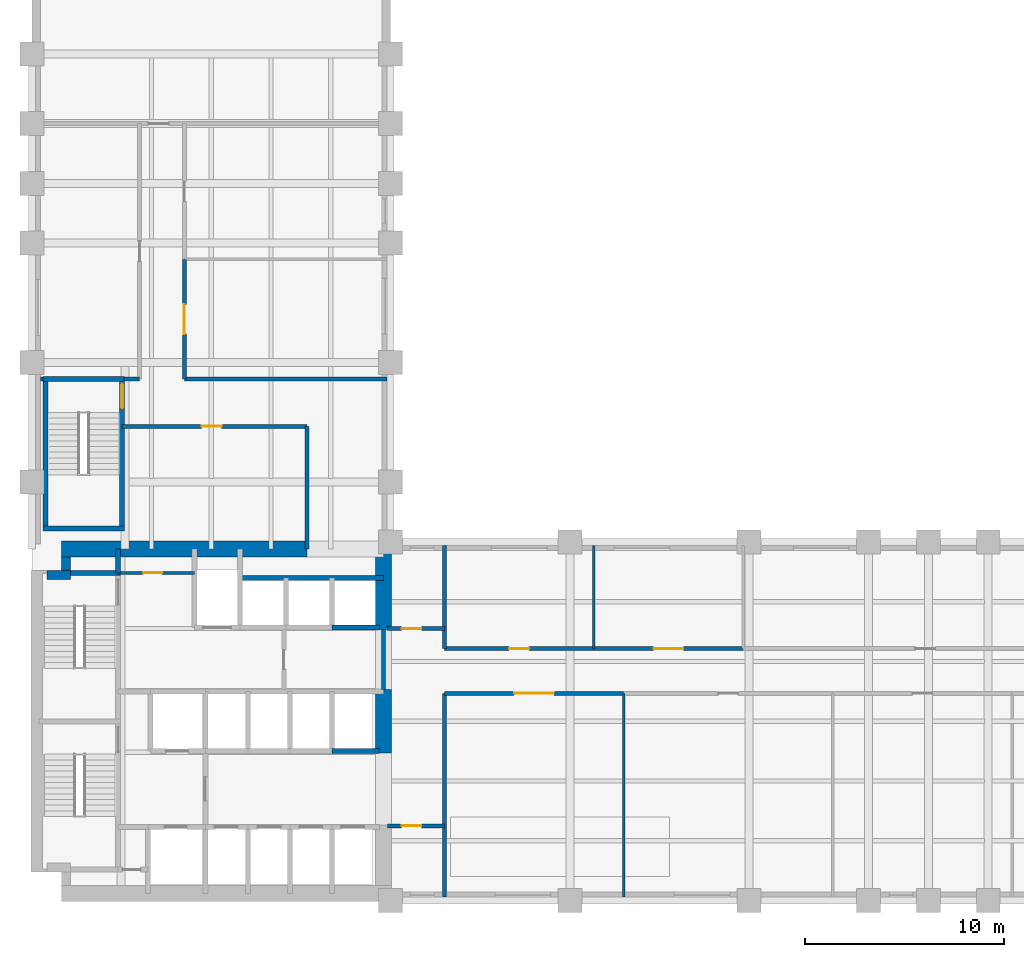
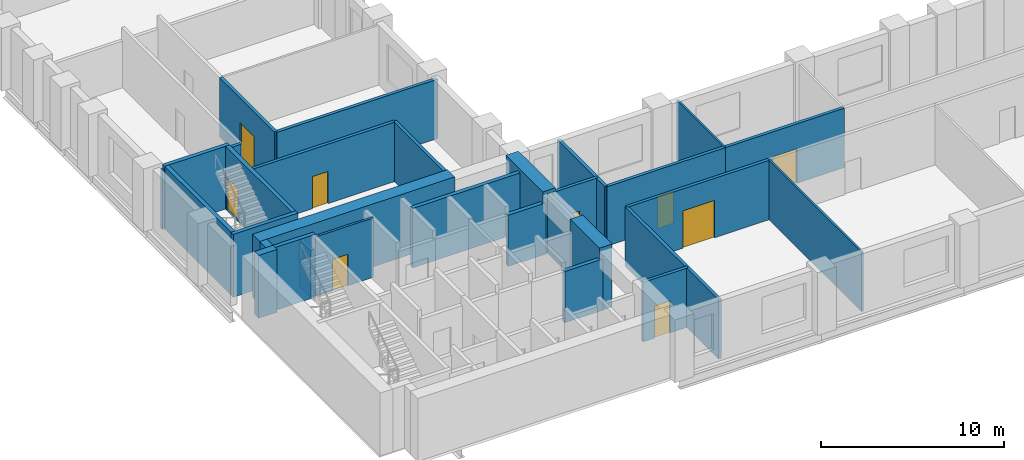
# One storey, part 4 of 7: 31 walls, 9 doors, 9 openings.
"""IFC4 building model written with IfcOpenShell, lengths in metres."""

from ifc_helpers import new_model, si_unit, direction, frame, frame_2d, origin, place, context, subcontext, project, spatial, rectangle, extrude, material, layer, layer_set, type_object, element, fill, save


model = new_model("IFC4")

# Units and contexts
model_context = context("Model", 3, precision=1e-05, world=origin(), true_north=direction((0.0, 1.0)))
body_context = subcontext(model_context, "Body", "Model", "MODEL_VIEW")
ifc_project = project(units=[si_unit("LENGTHUNIT", "METRE"), si_unit("AREAUNIT", "SQUARE_METRE"), si_unit("VOLUMEUNIT", "CUBIC_METRE"), si_unit("PLANEANGLEUNIT", "RADIAN"), si_unit("MASSUNIT", "GRAM", prefix="KILO")], contexts=[model_context])

# Site, building, storey
site_placement = place(None, origin())
site = spatial("IfcSite", under=ifc_project, at=site_placement, CompositionType="ELEMENT")
building_placement = place(site_placement, origin())
building = spatial("IfcBuilding", under=site, at=building_placement, Name="Mawjdan Bourse Tower", CompositionType="ELEMENT")
storey_placement = place(building_placement, frame((0.0, 0.0, 42.60009765625)))
storey = spatial("IfcBuildingStorey", under=building, at=storey_placement, Name="L09", CompositionType="ELEMENT", Elevation=42.60009765625)

# Wall
ifc_material_1 = material(Name="Gypsum Fireboard Assembly")
ifc_layer_1 = layer(ifc_material_1, 0.199951171875)
ifc_layer_set_1 = layer_set([ifc_layer_1], Name="Gypsum Fireboard Assembly")
wall_type_1 = type_object("IfcWallType", Name="WL-CMP-200", PredefinedType="PARTITIONING", material=ifc_layer_set_1)
wall_1_placement = place(storey_placement, frame((23.64990234375, 13.60009765625, 0.0), z_axis=(0.0, 0.0, 1.0), x_axis=(0.0, 1.0, 0.0)))
element("IfcWall", 1, at=wall_1_placement, inside=storey, type_object=wall_type_1, Name="L09 Core Restroom East Enclosing Wall", PredefinedType="PARTITIONING", context=body_context, shape_type="SweptSolid", body=[
    extrude(rectangle(XDim=3.0, YDim=0.199951171875, at=frame_2d((1.5, 0.0))), origin(), (0.0, 0.0, 1.0), 3.969970703125),
])

# Wall, opening, door
wall_2_placement = place(storey_placement, frame((23.85009765625, 6.75, 0.0), z_axis=(0.0, 0.0, 1.0), x_axis=(1.0, 0.0, 0.0)))
wall_2 = element("IfcWall", 2, at=wall_2_placement, inside=storey, type_object=wall_type_1, Name="L09 West Pocket North Wall", PredefinedType="PARTITIONING", context=body_context, shape_type="SweptSolid", body=[
    extrude(rectangle(XDim=2.849853515625, YDim=0.199951171875, at=frame_2d((1.4248046875, 0.0))), origin(), (0.0, 0.0, 1.0), 3.969970703125),
])
opening_1_placement = place(wall_2_placement, frame((0.699951171875, 0.0, 0.0)))
opening_1 = element("IfcOpeningElement", 3, at=opening_1_placement, cuts=wall_2, Name="Opening D-L09-17", PredefinedType="OPENING", context=body_context, shape_type="SweptSolid", body=[
    extrude(rectangle(XDim=1.0, YDim=2.14990234375, at=frame_2d((0.5, 1.074951171875))), frame((0.0, 0.10986328125, 0.0), z_axis=(0.0, -1.0, 0.0), x_axis=(1.0, 0.0, 0.0)), (0.0, 0.0, 1.0), 0.219970703125),
])
ifc_material_2 = material(Name="Hardwood Acoustic Leaf", Category="wood")
door_type_1 = type_object("IfcDoorType", Name="DR-OFC-1000", OperationType="NOTDEFINED", PredefinedType="DOOR", material=ifc_material_2)
door_1_placement = place(opening_1_placement, origin())
door_1 = element("IfcDoor", 4, at=door_1_placement, inside=storey, type_object=door_type_1, Name="L09 West Pocket Office Door D-L09-17", OperationType="SINGLE_SWING_LEFT", OverallHeight=2.14990234375, OverallWidth=1.0, PredefinedType="DOOR", context=body_context, shape_type="SweptSolid", body=[
    extrude(rectangle(XDim=1.0, YDim=2.14990234375, at=frame_2d((0.5, 1.074951171875))), frame((0.0, 0.02490234375, 0.0), z_axis=(0.0, -1.0, 0.0), x_axis=(1.0, 0.0, 0.0)), (0.0, 0.0, 1.0), 0.050048828125),
])
fill(opening_1, door_1)

wall_3_placement = place(storey_placement, frame((23.85009765625, 16.64990234375, 0.0), z_axis=(0.0, 0.0, 1.0), x_axis=(1.0, 0.0, 0.0)))
wall_3 = element("IfcWall", 5, at=wall_3_placement, inside=storey, type_object=wall_type_1, Name="L09 West North Pocket Wall", PredefinedType="PARTITIONING", context=body_context, shape_type="SweptSolid", body=[
    extrude(rectangle(XDim=2.849853515625, YDim=0.199951171875, at=frame_2d((1.4248046875, 0.0))), origin(), (0.0, 0.0, 1.0), 3.969970703125),
])
opening_2_placement = place(wall_3_placement, frame((0.699951171875, 0.0, 0.0)))
opening_2 = element("IfcOpeningElement", 6, at=opening_2_placement, cuts=wall_3, Name="Opening D-L09-18", PredefinedType="OPENING", context=body_context, shape_type="SweptSolid", body=[
    extrude(rectangle(XDim=1.0, YDim=2.14990234375, at=frame_2d((0.5, 1.074951171875))), frame((0.0, 0.10986328125, 0.0), z_axis=(0.0, -1.0, 0.0), x_axis=(1.0, 0.0, 0.0)), (0.0, 0.0, 1.0), 0.219970703125),
])
door_2_placement = place(opening_2_placement, origin())
door_2 = element("IfcDoor", 7, at=door_2_placement, inside=storey, type_object=door_type_1, Name="L09 West North Pocket Door D-L09-18", OperationType="SINGLE_SWING_RIGHT", OverallHeight=2.14990234375, OverallWidth=1.0, PredefinedType="DOOR", context=body_context, shape_type="SweptSolid", body=[
    extrude(rectangle(XDim=1.0, YDim=2.14990234375, at=frame_2d((0.5, 1.074951171875))), frame((0.0, 0.02490234375, 0.0), z_axis=(0.0, -1.0, 0.0), x_axis=(1.0, 0.0, 0.0)), (0.0, 0.0, 1.0), 0.050048828125),
])
fill(opening_2, door_2)

# Walls
wall_4_placement = place(storey_placement, frame((26.699951171875, 3.179931640625, 0.0), z_axis=(0.0, 0.0, 1.0), x_axis=(0.0, 1.0, 0.0)))
element("IfcWall", 8, at=wall_4_placement, inside=storey, type_object=wall_type_1, Name="L09 Vestibule South East Wall", PredefinedType="PARTITIONING", context=body_context, shape_type="SweptSolid", body=[
    extrude(rectangle(XDim=10.219970703125, YDim=0.199951171875, at=frame_2d((5.10986328125, 0.0))), origin(), (0.0, 0.0, 1.0), 3.969970703125),
])
wall_5_placement = place(storey_placement, frame((26.699951171875, 15.64990234375, 0.0), z_axis=(0.0, 0.0, 1.0), x_axis=(0.0, 1.0, 0.0)))
element("IfcWall", 9, at=wall_5_placement, inside=storey, type_object=wall_type_1, Name="L09 Vestibule North East Wall", PredefinedType="PARTITIONING", context=body_context, shape_type="SweptSolid", body=[
    extrude(rectangle(XDim=5.170166015625, YDim=0.199951171875, at=frame_2d((2.5849609375, 0.0))), origin(), (0.0, 0.0, 1.0), 3.969970703125),
])

# Wall, opening, door
wall_6_placement = place(storey_placement, frame((26.699951171875, 13.39990234375, 0.0), z_axis=(0.0, 0.0, 1.0), x_axis=(1.0, 0.0, 0.0)))
wall_6 = element("IfcWall", 10, at=wall_6_placement, inside=storey, type_object=wall_type_1, Name="L09 Trading Floor Corridor Wall", PredefinedType="PARTITIONING", context=body_context, shape_type="SweptSolid", body=[
    extrude(rectangle(XDim=9.0, YDim=0.199951171875, at=frame_2d((4.5, 0.0))), origin(), (0.0, 0.0, 1.0), 3.969970703125),
])
opening_3_placement = place(wall_6_placement, frame((3.5, 0.0, 0.0)))
opening_3 = element("IfcOpeningElement", 11, at=opening_3_placement, cuts=wall_6, Name="Opening D-L09-19", PredefinedType="OPENING", context=body_context, shape_type="SweptSolid", body=[
    extrude(rectangle(XDim=2.0, YDim=2.5, at=frame_2d((1.0, 1.25))), frame((0.0, 0.10986328125, 0.0), z_axis=(0.0, -1.0, 0.0), x_axis=(1.0, 0.0, 0.0)), (0.0, 0.0, 1.0), 0.219970703125),
])
ifc_material_3 = material(Name="Acoustic Veneered Timber", Category="wood")
door_type_2 = type_object("IfcDoorType", Name="DR-ASM-2000", OperationType="DOUBLE_DOOR_SINGLE_SWING", PredefinedType="DOOR", material=ifc_material_3)
door_3_placement = place(opening_3_placement, origin())
door_3 = element("IfcDoor", 12, at=door_3_placement, inside=storey, type_object=door_type_2, Name="L09 Trading Floor Door D-L09-19", OperationType="DOUBLE_DOOR_SINGLE_SWING", OverallHeight=2.5, OverallWidth=2.0, PredefinedType="DOOR", context=body_context, shape_type="SweptSolid", body=[
    extrude(rectangle(XDim=2.0, YDim=2.5, at=frame_2d((1.0, 1.25))), frame((0.0, 0.02490234375, 0.0), z_axis=(0.0, -1.0, 0.0), x_axis=(1.0, 0.0, 0.0)), (0.0, 0.0, 1.0), 0.050048828125),
])
fill(opening_3, door_3)

wall_7_placement = place(storey_placement, frame((26.699951171875, 15.64990234375, 0.0), z_axis=(0.0, 0.0, 1.0), x_axis=(1.0, 0.0, 0.0)))
wall_7 = element("IfcWall", 13, at=wall_7_placement, inside=storey, type_object=wall_type_1, Name="L09 Brokerage Suite Corridor Wall", PredefinedType="PARTITIONING", context=body_context, shape_type="SweptSolid", body=[
    extrude(rectangle(XDim=7.5, YDim=0.199951171875, at=frame_2d((3.75, 0.0))), origin(), (0.0, 0.0, 1.0), 3.969970703125),
])
opening_4_placement = place(wall_7_placement, frame((3.25, 0.0, 0.0)))
opening_4 = element("IfcOpeningElement", 14, at=opening_4_placement, cuts=wall_7, Name="Opening D-L09-23", PredefinedType="OPENING", context=body_context, shape_type="SweptSolid", body=[
    extrude(rectangle(XDim=1.0, YDim=2.14990234375, at=frame_2d((0.5, 1.074951171875))), frame((0.0, 0.10986328125, 0.0), z_axis=(0.0, -1.0, 0.0), x_axis=(1.0, 0.0, 0.0)), (0.0, 0.0, 1.0), 0.219970703125),
])
door_4_placement = place(opening_4_placement, origin())
door_4 = element("IfcDoor", 15, at=door_4_placement, inside=storey, type_object=door_type_1, Name="L09 Brokerage Suite Door D-L09-23", OperationType="SINGLE_SWING_LEFT", OverallHeight=2.14990234375, OverallWidth=1.0, PredefinedType="DOOR", context=body_context, shape_type="SweptSolid", body=[
    extrude(rectangle(XDim=1.0, YDim=2.14990234375, at=frame_2d((0.5, 1.074951171875))), frame((0.0, 0.02490234375, 0.0), z_axis=(0.0, -1.0, 0.0), x_axis=(1.0, 0.0, 0.0)), (0.0, 0.0, 1.0), 0.050048828125),
])
fill(opening_4, door_4)

wall_8_placement = place(storey_placement, frame((34.199951171875, 15.64990234375, 0.0), z_axis=(0.0, 0.0, 1.0), x_axis=(1.0, 0.0, 0.0)))
wall_8 = element("IfcWall", 16, at=wall_8_placement, inside=storey, type_object=wall_type_1, Name="L09 Conference Room Corridor Wall", PredefinedType="PARTITIONING", context=body_context, shape_type="SweptSolid", body=[
    extrude(rectangle(XDim=7.5, YDim=0.199951171875, at=frame_2d((3.75, 0.0))), origin(), (0.0, 0.0, 1.0), 3.969970703125),
])
opening_5_placement = place(wall_8_placement, frame((3.0, 0.0, 0.0)))
opening_5 = element("IfcOpeningElement", 17, at=opening_5_placement, cuts=wall_8, Name="Opening D-L09-24", PredefinedType="OPENING", context=body_context, shape_type="SweptSolid", body=[
    extrude(rectangle(XDim=1.5, YDim=2.300048828125, at=frame_2d((0.75, 1.14990234375))), frame((0.0, 0.10986328125, 0.0), z_axis=(0.0, -1.0, 0.0), x_axis=(1.0, 0.0, 0.0)), (0.0, 0.0, 1.0), 0.219970703125),
])
ifc_material_4 = material(Name="Acoustic Glazed Timber", Category="wood")
door_type_3 = type_object("IfcDoorType", Name="DR-CNF-1500", OperationType="DOUBLE_DOOR_SINGLE_SWING", PredefinedType="DOOR", material=ifc_material_4)
door_5_placement = place(opening_5_placement, origin())
door_5 = element("IfcDoor", 18, at=door_5_placement, inside=storey, type_object=door_type_3, Name="L09 Conference Room Door D-L09-24", OperationType="DOUBLE_DOOR_SINGLE_SWING", OverallHeight=2.300048828125, OverallWidth=1.5, PredefinedType="DOOR", context=body_context, shape_type="SweptSolid", body=[
    extrude(rectangle(XDim=1.5, YDim=2.300048828125, at=frame_2d((0.75, 1.14990234375))), frame((0.0, 0.02490234375, 0.0), z_axis=(0.0, -1.0, 0.0), x_axis=(1.0, 0.0, 0.0)), (0.0, 0.0, 1.0), 0.050048828125),
])
fill(opening_5, door_5)

wall_9_placement = place(storey_placement, frame((10.52001953125, 26.800048828125, 0.0), z_axis=(0.0, 0.0, 1.0), x_axis=(1.0, 0.0, 0.0)))
wall_9 = element("IfcWall", 19, at=wall_9_placement, inside=storey, type_object=wall_type_1, Name="L09 North Throat North Wall", PredefinedType="PARTITIONING", context=body_context, shape_type="SweptSolid", body=[
    extrude(rectangle(XDim=9.280029296875, YDim=0.199951171875, at=frame_2d((4.64013671875, 0.0))), origin(), (0.0, 0.0, 1.0), 3.969970703125),
])
opening_6_placement = place(wall_9_placement, frame((4.0, 0.0, 0.0)))
opening_6 = element("IfcOpeningElement", 20, at=opening_6_placement, cuts=wall_9, Name="Opening D-L09-27", PredefinedType="OPENING", context=body_context, shape_type="SweptSolid", body=[
    extrude(rectangle(XDim=1.0, YDim=2.14990234375, at=frame_2d((0.5, 1.074951171875))), frame((0.0, 0.10986328125, 0.0), z_axis=(0.0, -1.0, 0.0), x_axis=(1.0, 0.0, 0.0)), (0.0, 0.0, 1.0), 0.219970703125),
])
door_6_placement = place(opening_6_placement, origin())
door_6 = element("IfcDoor", 21, at=door_6_placement, inside=storey, type_object=door_type_1, Name="L09 North Throat Suite Door D-L09-27", OperationType="SINGLE_SWING_RIGHT", OverallHeight=2.14990234375, OverallWidth=1.0, PredefinedType="DOOR", context=body_context, shape_type="SweptSolid", body=[
    extrude(rectangle(XDim=1.0, YDim=2.14990234375, at=frame_2d((0.5, 1.074951171875))), frame((0.0, 0.02490234375, 0.0), z_axis=(0.0, -1.0, 0.0), x_axis=(1.0, 0.0, 0.0)), (0.0, 0.0, 1.0), 0.050048828125),
])
fill(opening_6, door_6)

# Walls
wall_10_placement = place(storey_placement, frame((19.800048828125, 20.64990234375, 0.0), z_axis=(0.0, 0.0, 1.0), x_axis=(0.0, 1.0, 0.0)))
element("IfcWall", 22, at=wall_10_placement, inside=storey, type_object=wall_type_1, Name="L09 North Throat East Wall", PredefinedType="PARTITIONING", context=body_context, shape_type="SweptSolid", body=[
    extrude(rectangle(XDim=6.150146484375, YDim=0.199951171875, at=frame_2d((3.0751953125, 0.0))), origin(), (0.0, 0.0, 1.0), 3.969970703125),
])
wall_11_placement = place(storey_placement, frame((6.419921875, 29.179931640625, 0.0), z_axis=(0.0, 0.0, 1.0), x_axis=(1.0, 0.0, 0.0)))
element("IfcWall", 23, at=wall_11_placement, inside=storey, type_object=wall_type_1, Name="L09 North West Band ST3 West Return", PredefinedType="PARTITIONING", context=body_context, shape_type="SweptSolid", body=[
    extrude(rectangle(XDim=0.135009765625, YDim=0.199951171875, at=frame_2d((0.0673828125, 0.0))), origin(), (0.0, 0.0, 1.0), 3.969970703125),
])
wall_12_placement = place(storey_placement, frame((10.6298828125, 29.179931640625, 0.0), z_axis=(0.0, 0.0, 1.0), x_axis=(1.0, 0.0, 0.0)))
element("IfcWall", 24, at=wall_12_placement, inside=storey, type_object=wall_type_1, Name="L09 North West Band South Wall", PredefinedType="PARTITIONING", context=body_context, shape_type="SweptSolid", body=[
    extrude(rectangle(XDim=0.77001953125, YDim=0.199951171875, at=frame_2d((0.385009765625, 0.0))), origin(), (0.0, 0.0, 1.0), 3.969970703125),
])
wall_13_placement = place(storey_placement, frame((13.64990234375, 29.179931640625, 0.0), z_axis=(0.0, 0.0, 1.0), x_axis=(1.0, 0.0, 0.0)))
element("IfcWall", 25, at=wall_13_placement, inside=storey, type_object=wall_type_1, Name="L09 North East Band South Wall", PredefinedType="PARTITIONING", context=body_context, shape_type="SweptSolid", body=[
    extrude(rectangle(XDim=10.170166015625, YDim=0.199951171875, at=frame_2d((5.0849609375, 0.0))), origin(), (0.0, 0.0, 1.0), 3.969970703125),
])

# Wall, opening, door
wall_14_placement = place(storey_placement, frame((13.64990234375, 29.179931640625, 0.0), z_axis=(0.0, 0.0, 1.0), x_axis=(0.0, 1.0, 0.0)))
wall_14 = element("IfcWall", 26, at=wall_14_placement, inside=storey, type_object=wall_type_1, Name="L09 Conference Room Corridor Wall", PredefinedType="PARTITIONING", context=body_context, shape_type="SweptSolid", body=[
    extrude(rectangle(XDim=6.0, YDim=0.199951171875, at=frame_2d((3.0, 0.0))), origin(), (0.0, 0.0, 1.0), 3.969970703125),
])
opening_7_placement = place(wall_14_placement, frame((2.25, 0.0, 0.0)))
opening_7 = element("IfcOpeningElement", 27, at=opening_7_placement, cuts=wall_14, Name="Opening D-L09-29", PredefinedType="OPENING", context=body_context, shape_type="SweptSolid", body=[
    extrude(rectangle(XDim=1.5, YDim=2.300048828125, at=frame_2d((0.75, 1.14990234375))), frame((0.0, 0.10986328125, 0.0), z_axis=(0.0, -1.0, 0.0), x_axis=(1.0, 0.0, 0.0)), (0.0, 0.0, 1.0), 0.219970703125),
])
door_7_placement = place(opening_7_placement, origin())
door_7 = element("IfcDoor", 28, at=door_7_placement, inside=storey, type_object=door_type_3, Name="L09 Conference Room Door D-L09-29", OperationType="DOUBLE_DOOR_SINGLE_SWING", OverallHeight=2.300048828125, OverallWidth=1.5, PredefinedType="DOOR", context=body_context, shape_type="SweptSolid", body=[
    extrude(rectangle(XDim=1.5, YDim=2.300048828125, at=frame_2d((0.75, 1.14990234375))), frame((0.0, 0.02490234375, 0.0), z_axis=(0.0, -1.0, 0.0), x_axis=(1.0, 0.0, 0.0)), (0.0, 0.0, 1.0), 0.050048828125),
])
fill(opening_7, door_7)

# Walls
ifc_material_5 = material(Name="Concrete C60/75", Category="concrete")
ifc_layer_2 = layer(ifc_material_5, 0.449951171875)
ifc_layer_set_2 = layer_set([ifc_layer_2], Name="Concrete C60/75")
wall_type_2 = type_object("IfcWallType", Name="WL-CORE-450", PredefinedType="SHEAR", material=ifc_layer_set_2)
wall_15_placement = place(storey_placement, frame((6.75, 19.35009765625, 0.0), z_axis=(0.0, 0.0, 1.0), x_axis=(1.0, 0.0, 0.0)))
element("IfcWall", 29, at=wall_15_placement, inside=storey, type_object=wall_type_2, Name="L09 Rear Core Shear Wall NW-X", PredefinedType="SHEAR", context=body_context, shape_type="SweptSolid", body=[
    extrude(rectangle(XDim=1.175048828125, YDim=0.449951171875, at=frame_2d((0.58740234375, 0.0))), origin(), (0.0, 0.0, 1.0), 4.199951171875),
])
wall_16_placement = place(storey_placement, frame((7.699951171875, 19.574951171875, 0.0), z_axis=(0.0, 0.0, 1.0), x_axis=(0.0, 1.0, 0.0)))
element("IfcWall", 30, at=wall_16_placement, inside=storey, type_object=wall_type_2, Name="L09 Rear Core Shear Wall NW-Y", PredefinedType="SHEAR", context=body_context, shape_type="SweptSolid", body=[
    extrude(rectangle(XDim=0.675048828125, YDim=0.449951171875, at=frame_2d((0.33740234375, 0.0))), origin(), (0.0, 0.0, 1.0), 4.199951171875),
])
ifc_material_6 = material(Name="Concrete C80/95", Category="concrete")
ifc_layer_3 = layer(ifc_material_6, 0.800048828125)
ifc_layer_set_3 = layer_set([ifc_layer_3], Name="Concrete C80/95")
wall_type_3 = type_object("IfcWallType", Name="WL-CORE-800", PredefinedType="SHEAR", material=ifc_layer_set_3)
wall_17_placement = place(storey_placement, frame((7.47509765625, 20.64990234375, 0.0), z_axis=(0.0, 0.0, 1.0), x_axis=(1.0, 0.0, 0.0)))
element("IfcWall", 31, at=wall_17_placement, inside=storey, type_object=wall_type_3, Name="L09 Rear Core Shear Wall N", PredefinedType="SHEAR", context=body_context, shape_type="SweptSolid", body=[
    extrude(rectangle(XDim=12.324951171875, YDim=0.800048828125, at=frame_2d((6.16259765625, 0.0))), origin(), (0.0, 0.0, 1.0), 4.199951171875),
])
wall_18_placement = place(storey_placement, frame((23.64990234375, 10.39990234375, 0.0), z_axis=(0.0, 0.0, 1.0), x_axis=(0.0, 1.0, 0.0)))
element("IfcWall", 32, at=wall_18_placement, inside=storey, type_object=wall_type_3, Name="L09 Rear Core Shear Wall E2", PredefinedType="SHEAR", context=body_context, shape_type="SweptSolid", body=[
    extrude(rectangle(XDim=3.2001953125, YDim=0.800048828125, at=frame_2d((1.60009765625, 0.0))), origin(), (0.0, 0.0, 1.0), 4.199951171875),
])
wall_19_placement = place(storey_placement, frame((23.64990234375, 16.60009765625, 0.0), z_axis=(0.0, 0.0, 1.0), x_axis=(0.0, 1.0, 0.0)))
element("IfcWall", 33, at=wall_19_placement, inside=storey, type_object=wall_type_3, Name="L09 Rear Core Shear Wall E3", PredefinedType="SHEAR", context=body_context, shape_type="SweptSolid", body=[
    extrude(rectangle(XDim=4.0498046875, YDim=0.800048828125, at=frame_2d((2.02490234375, 0.0))), origin(), (0.0, 0.0, 1.0), 4.199951171875),
])
ifc_material_7 = material(Name="Gypsum Partition")
ifc_layer_4 = layer(ifc_material_7, 0.125)
ifc_layer_set_4 = layer_set([ifc_layer_4], Name="Gypsum Partition")
wall_type_4 = type_object("IfcWallType", Name="WL-PRT-125", PredefinedType="PARTITIONING", material=ifc_layer_set_4)
wall_20_placement = place(storey_placement, frame((35.699951171875, 3.179931640625, 0.0), z_axis=(0.0, 0.0, 1.0), x_axis=(0.0, 1.0, 0.0)))
element("IfcWall", 34, at=wall_20_placement, inside=storey, type_object=wall_type_4, Name="L09 Equities Research Library Partition", PredefinedType="PARTITIONING", context=body_context, shape_type="SweptSolid", body=[
    extrude(rectangle(XDim=10.219970703125, YDim=0.125, at=frame_2d((5.10986328125, 0.0))), origin(), (0.0, 0.0, 1.0), 3.969970703125),
])
wall_21_placement = place(storey_placement, frame((34.199951171875, 15.64990234375, 0.0), z_axis=(0.0, 0.0, 1.0), x_axis=(0.0, 1.0, 0.0)))
element("IfcWall", 35, at=wall_21_placement, inside=storey, type_object=wall_type_4, Name="L09 Conference Room Partition", PredefinedType="PARTITIONING", context=body_context, shape_type="SweptSolid", body=[
    extrude(rectangle(XDim=5.170166015625, YDim=0.125, at=frame_2d((2.5849609375, 0.0))), origin(), (0.0, 0.0, 1.0), 3.969970703125),
])

# Wall, opening, door
ifc_material_8 = material(Name="Gypsum Acoustic Partition")
ifc_layer_5 = layer(ifc_material_8, 0.14990234375)
ifc_layer_set_5 = layer_set([ifc_layer_5], Name="Gypsum Acoustic Partition")
wall_type_5 = type_object("IfcWallType", Name="WL-PRT-150", PredefinedType="PARTITIONING", material=ifc_layer_set_5)
wall_22_placement = place(storey_placement, frame((10.330078125, 19.449951171875, 0.0), z_axis=(0.0, 0.0, 1.0), x_axis=(1.0, 0.0, 0.0)))
wall_22 = element("IfcWall", 36, at=wall_22_placement, inside=storey, type_object=wall_type_5, Name="L09 Housekeeping South Wall", PredefinedType="PARTITIONING", context=body_context, shape_type="SweptSolid", body=[
    extrude(rectangle(XDim=3.81982421875, YDim=0.14990234375, at=frame_2d((1.909912109375, 0.0))), origin(), (0.0, 0.0, 1.0), 3.969970703125),
])
opening_8_placement = place(wall_22_placement, frame((1.25, 0.0, 0.0)))
opening_8 = element("IfcOpeningElement", 37, at=opening_8_placement, cuts=wall_22, Name="Opening D-L09-15", PredefinedType="OPENING", context=body_context, shape_type="SweptSolid", body=[
    extrude(rectangle(XDim=0.949951171875, YDim=2.10009765625, at=frame_2d((0.47509765625, 1.050048828125))), frame((0.0, 0.0849609375, 0.0), z_axis=(0.0, -1.0, 0.0), x_axis=(1.0, 0.0, 0.0)), (0.0, 0.0, 1.0), 0.169921875),
])
ifc_material_9 = material(Name="Moisture-Resistant Laminate Timber", Category="wood")
door_type_4 = type_object("IfcDoorType", Name="DR-WET-0950", OperationType="NOTDEFINED", PredefinedType="DOOR", material=ifc_material_9)
door_8_placement = place(opening_8_placement, origin())
door_8 = element("IfcDoor", 38, at=door_8_placement, inside=storey, type_object=door_type_4, Name="L09 Housekeeping Closet Door D-L09-15", OperationType="SINGLE_SWING_LEFT", OverallHeight=2.10009765625, OverallWidth=0.949951171875, PredefinedType="DOOR", context=body_context, shape_type="SweptSolid", body=[
    extrude(rectangle(XDim=0.949951171875, YDim=2.10009765625, at=frame_2d((0.47509765625, 1.050048828125))), frame((0.0, 0.02490234375, 0.0), z_axis=(0.0, -1.0, 0.0), x_axis=(1.0, 0.0, 0.0)), (0.0, 0.0, 1.0), 0.050048828125),
])
fill(opening_8, door_8)

# Walls
ifc_material_10 = material(Name="Concrete C50/60", Category="concrete")
ifc_layer_6 = layer(ifc_material_10, 0.25)
ifc_layer_set_6 = layer_set([ifc_layer_6], Name="Concrete C50/60")
wall_type_6 = type_object("IfcWallType", Name="WL-SHFT-250", PredefinedType="PARTITIONING", material=ifc_layer_set_6)
wall_23_placement = place(storey_placement, frame((10.330078125, 19.449951171875, 0.0), z_axis=(0.0, 0.0, 1.0), x_axis=(0.0, 1.0, 0.0)))
element("IfcWall", 39, at=wall_23_placement, inside=storey, type_object=wall_type_6, Name="L09 NW Riser East Wall", PredefinedType="PARTITIONING", context=body_context, shape_type="SweptSolid", body=[
    extrude(rectangle(XDim=1.199951171875, YDim=0.25, at=frame_2d((0.60009765625, 0.0))), origin(), (0.0, 0.0, 1.0), 3.114013671875),
])
wall_24_placement = place(storey_placement, frame((21.050048828125, 16.699951171875, 0.0), z_axis=(0.0, 0.0, 1.0), x_axis=(1.0, 0.0, 0.0)))
element("IfcWall", 40, at=wall_24_placement, inside=storey, type_object=wall_type_6, Name="L09 PH-03 Front Wall", PredefinedType="PARTITIONING", context=body_context, shape_type="SweptSolid", body=[
    extrude(rectangle(XDim=2.39990234375, YDim=0.25, at=frame_2d((1.199951171875, 0.0))), origin(), (0.0, 0.0, 1.0), 3.42578125),
])
wall_25_placement = place(storey_placement, frame((16.449951171875, 19.199951171875, 0.0), z_axis=(0.0, 0.0, 1.0), x_axis=(1.0, 0.0, 0.0)))
element("IfcWall", 41, at=wall_25_placement, inside=storey, type_object=wall_type_6, Name="L09 PH Bank North Shaft Back Wall", PredefinedType="PARTITIONING", context=body_context, shape_type="SweptSolid", body=[
    extrude(rectangle(XDim=7.199951171875, YDim=0.25, at=frame_2d((3.60009765625, 0.0))), origin(), (0.0, 0.0, 1.0), 3.969970703125),
])
wall_26_placement = place(storey_placement, frame((21.050048828125, 10.5, 0.0), z_axis=(0.0, 0.0, 1.0), x_axis=(1.0, 0.0, 0.0)))
element("IfcWall", 42, at=wall_26_placement, inside=storey, type_object=wall_type_6, Name="L09 PM-04 Front Wall", PredefinedType="PARTITIONING", context=body_context, shape_type="SweptSolid", body=[
    extrude(rectangle(XDim=2.39990234375, YDim=0.25, at=frame_2d((1.199951171875, 0.0))), origin(), (0.0, 0.0, 1.0), 3.42578125),
])
ifc_layer_7 = layer(ifc_material_10, 0.25)
ifc_layer_set_7 = layer_set([ifc_layer_7], Name="Concrete C50/60")
wall_type_7 = type_object("IfcWallType", Name="WL-STRW-250", PredefinedType="SHEAR", material=ifc_layer_set_7)
wall_27_placement = place(storey_placement, frame((7.699951171875, 19.449951171875, 0.0), z_axis=(0.0, 0.0, 1.0), x_axis=(1.0, 0.0, 0.0)))
element("IfcWall", 43, at=wall_27_placement, inside=storey, type_object=wall_type_7, Name="L09 Stairwell ST2 North Shaft Wall", PredefinedType="SHEAR", context=body_context, shape_type="SweptSolid", body=[
    extrude(rectangle(XDim=2.755126953125, YDim=0.25, at=frame_2d((1.37744140625, 0.0))), origin(), (0.0, 0.0, 1.0), 4.199951171875),
])
for number, where, z_axis, x_axis, name in (
    (44, (6.554931640625, 21.679931640625, 0.0), (0.0, 0.0, 1.0), (1.0, 0.0, 0.0), "L09 ST3 South Shaft Wall"),
    (45, (6.554931640625, 29.179931640625, 0.0), (0.0, 0.0, 1.0), (1.0, 0.0, 0.0), "L09 ST3 North Shaft Wall"),
):
    element("IfcWall", number, at=place(storey_placement, frame(where, z_axis=z_axis, x_axis=x_axis)), inside=storey, type_object=wall_type_7, Name=name, PredefinedType="SHEAR", context=body_context, shape_type="SweptSolid", body=[
        extrude(rectangle(XDim=4.090087890625, YDim=0.25, at=frame_2d((2.044921875, 0.0))), origin(), (0.0, 0.0, 1.0), 4.199951171875),
    ])
wall_28_placement = place(storey_placement, frame((6.679931640625, 21.679931640625, 0.0), z_axis=(0.0, 0.0, 1.0), x_axis=(0.0, 1.0, 0.0)))
element("IfcWall", 46, at=wall_28_placement, inside=storey, type_object=wall_type_7, Name="L09 ST3 West Shaft Wall", PredefinedType="SHEAR", context=body_context, shape_type="SweptSolid", body=[
    extrude(rectangle(XDim=7.5, YDim=0.25, at=frame_2d((3.75, 0.0))), origin(), (0.0, 0.0, 1.0), 4.199951171875),
])

# Wall, opening, door
wall_29_placement = place(storey_placement, frame((10.52001953125, 21.679931640625, 0.0), z_axis=(0.0, 0.0, 1.0), x_axis=(0.0, 1.0, 0.0)))
wall_29 = element("IfcWall", 47, at=wall_29_placement, inside=storey, type_object=wall_type_7, Name="L09 ST3 East Shaft Wall", PredefinedType="SHEAR", context=body_context, shape_type="SweptSolid", body=[
    extrude(rectangle(XDim=7.5, YDim=0.25, at=frame_2d((3.75, 0.0))), origin(), (0.0, 0.0, 1.0), 4.199951171875),
])
opening_9_placement = place(wall_29_placement, frame((6.02001953125, 0.0, 0.0)))
opening_9 = element("IfcOpeningElement", 48, at=opening_9_placement, cuts=wall_29, Name="Opening SD-L09-16", PredefinedType="OPENING", context=body_context, shape_type="SweptSolid", body=[
    extrude(rectangle(XDim=1.25, YDim=2.199951171875, at=frame_2d((0.625, 1.10009765625))), frame((0.0, 0.135009765625, 0.0), z_axis=(0.0, -1.0, 0.0), x_axis=(1.0, 0.0, 0.0)), (0.0, 0.0, 1.0), 0.27001953125),
])
ifc_material_11 = material(Name="Fire-Rated Steel Leaf", Category="steel")
door_type_5 = type_object("IfcDoorType", Name="FD-ST-1250", OperationType="NOTDEFINED", PredefinedType="DOOR", material=ifc_material_11)
door_9_placement = place(opening_9_placement, origin())
door_9 = element("IfcDoor", 49, at=door_9_placement, inside=storey, type_object=door_type_5, Name="L09 Stair ST3 Fire Door SD-L09-16", OperationType="SINGLE_SWING_RIGHT", OverallHeight=2.199951171875, OverallWidth=1.25, PredefinedType="DOOR", context=body_context, shape_type="SweptSolid", body=[
    extrude(rectangle(XDim=1.25, YDim=2.199951171875, at=frame_2d((0.625, 1.10009765625))), frame((0.0, 0.02490234375, 0.0), z_axis=(0.0, -1.0, 0.0), x_axis=(1.0, 0.0, 0.0)), (0.0, 0.0, 1.0), 0.050048828125),
])
fill(opening_9, door_9)

save(model, "model.ifc")
